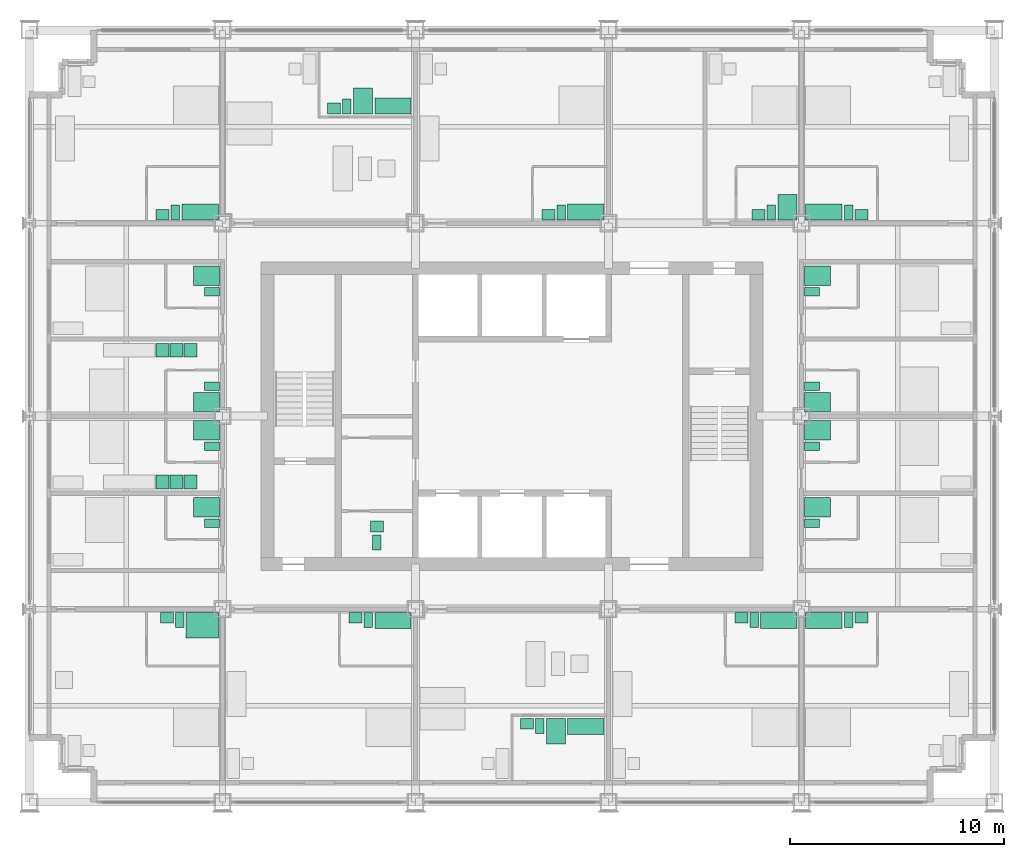
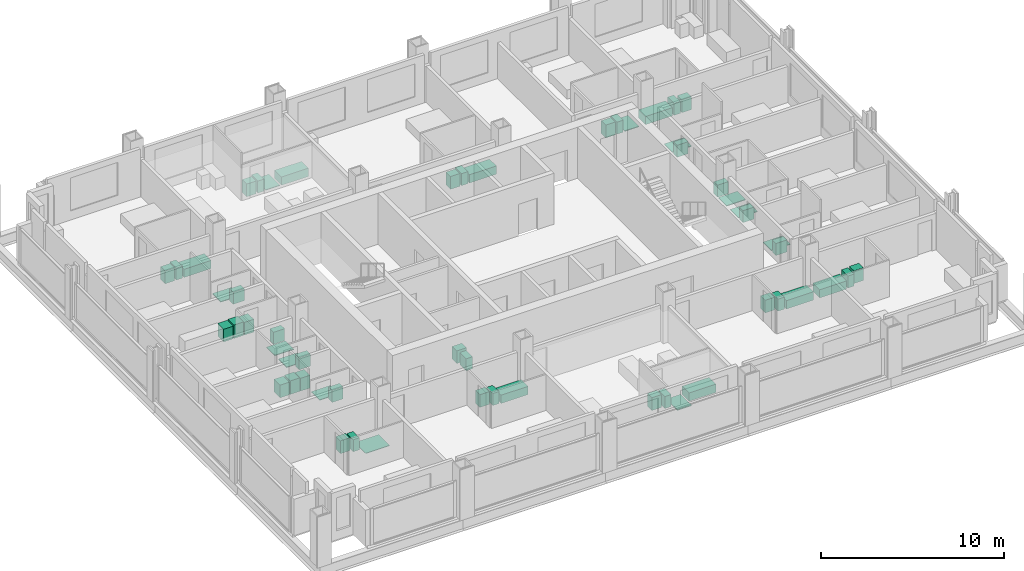
# One storey, part 15 of 16: 50 sanitary terminals, 6 electric appliances.
"""IFC4 building model written with IfcOpenShell, lengths in metres."""

from ifc_helpers import new_model, si_unit, direction, frame, origin, origin_2d, place, context, subcontext, project, spatial, rectangle, extrude, element, save


model = new_model("IFC4")

# Units and contexts
model_context = context("Model", 3, precision=1e-05, world=origin(), true_north=direction((0.0, 1.0)))
body_context = subcontext(model_context, "Body", "Model", "MODEL_VIEW")
ifc_project = project(units=[si_unit("LENGTHUNIT", "METRE"), si_unit("AREAUNIT", "SQUARE_METRE"), si_unit("VOLUMEUNIT", "CUBIC_METRE"), si_unit("PLANEANGLEUNIT", "RADIAN"), si_unit("MASSUNIT", "GRAM", prefix="KILO")], contexts=[model_context])

# Site, building, storey
site_placement = place(None, origin())
site = spatial("IfcSite", under=ifc_project, at=site_placement, CompositionType="ELEMENT")
building_placement = place(site_placement, origin())
building = spatial("IfcBuilding", under=site, at=building_placement, Name="Loomwork Tower", CompositionType="ELEMENT")
storey_placement = place(building_placement, frame((0.0, 0.0, 114.60009765625)))
storey = spatial("IfcBuildingStorey", under=building, at=storey_placement, Name="L30", CompositionType="ELEMENT", Elevation=114.60009765625)

# Sanitary terminals
sanitary_terminal_1_placement = place(storey_placement, frame((8.050048828125, 8.25, 0.0), z_axis=(0.0, 0.0, 1.0), x_axis=(1.0, 0.0, 0.0)))
element("IfcSanitaryTerminal", 1, at=sanitary_terminal_1_placement, inside=storey, Name="Roll-in shower floor L30", PredefinedType="SHOWER", context=body_context, shape_type="SweptSolid", body=[
    extrude(rectangle(XDim=1.5, YDim=1.199951171875, at=origin_2d()), origin(), (0.0, 0.0, 1.0), 0.030029296875),
])
sanitary_terminal_2_placement = place(storey_placement, frame((7.0, 8.5, 0.0), z_axis=(0.0, 0.0, 1.0), x_axis=(1.0, 0.0, 0.0)))
element("IfcSanitaryTerminal", 2, at=sanitary_terminal_2_placement, inside=storey, Name="WC L30", PredefinedType="TOILETPAN", context=body_context, shape_type="SweptSolid", body=[
    extrude(rectangle(XDim=0.39990234375, YDim=0.699951171875, at=origin_2d()), origin(), (0.0, 0.0, 1.0), 0.800048828125),
])
sanitary_terminal_3_placement = place(storey_placement, frame((6.39990234375, 8.60009765625, -0.000244140625), z_axis=(0.0, 0.0, 1.0), x_axis=(1.0, 0.0, 0.0)))
element("IfcSanitaryTerminal", 3, at=sanitary_terminal_3_placement, inside=storey, Name="Basin vanity L30", PredefinedType="WASHHANDBASIN", context=body_context, shape_type="SweptSolid", body=[
    extrude(rectangle(XDim=0.60009765625, YDim=0.5, at=origin_2d()), origin(), (0.0, 0.0, 1.0), 0.85009765625),
])
sanitary_terminal_4_placement = place(storey_placement, frame((16.949951171875, 8.47509765625, 0.0), z_axis=(0.0, 0.0, 1.0), x_axis=(1.0, 0.0, 0.0)))
element("IfcSanitaryTerminal", 4, at=sanitary_terminal_4_placement, inside=storey, Name="Bath L30", PredefinedType="BATH", context=body_context, shape_type="SweptSolid", body=[
    extrude(rectangle(XDim=1.699951171875, YDim=0.75, at=origin_2d()), origin(), (0.0, 0.0, 1.0), 0.550048828125),
])
sanitary_terminal_5_placement = place(storey_placement, frame((15.800048828125, 8.5, 0.0), z_axis=(0.0, 0.0, 1.0), x_axis=(1.0, 0.0, 0.0)))
element("IfcSanitaryTerminal", 5, at=sanitary_terminal_5_placement, inside=storey, Name="WC L30", PredefinedType="TOILETPAN", context=body_context, shape_type="SweptSolid", body=[
    extrude(rectangle(XDim=0.39990234375, YDim=0.699951171875, at=origin_2d()), origin(), (0.0, 0.0, 1.0), 0.800048828125),
])
sanitary_terminal_6_placement = place(storey_placement, frame((15.199951171875, 8.60009765625, -0.000244140625), z_axis=(0.0, 0.0, 1.0), x_axis=(1.0, 0.0, 0.0)))
element("IfcSanitaryTerminal", 6, at=sanitary_terminal_6_placement, inside=storey, Name="Basin vanity L30", PredefinedType="WASHHANDBASIN", context=body_context, shape_type="SweptSolid", body=[
    extrude(rectangle(XDim=0.60009765625, YDim=0.5, at=origin_2d()), origin(), (0.0, 0.0, 1.0), 0.85009765625),
])
sanitary_terminal_7_placement = place(storey_placement, frame((25.949951171875, 3.52490234375, 0.0), z_axis=(0.0, 0.0, 1.0), x_axis=(1.0, 0.0, 0.0)))
element("IfcSanitaryTerminal", 7, at=sanitary_terminal_7_placement, inside=storey, Name="Bath L30", PredefinedType="BATH", context=body_context, shape_type="SweptSolid", body=[
    extrude(rectangle(XDim=1.699951171875, YDim=0.75, at=origin_2d()), origin(), (0.0, 0.0, 1.0), 0.550048828125),
])
sanitary_terminal_8_placement = place(storey_placement, frame((24.550048828125, 3.300048828125, 0.0), z_axis=(0.0, 0.0, 1.0), x_axis=(1.0, 0.0, 0.0)))
element("IfcSanitaryTerminal", 8, at=sanitary_terminal_8_placement, inside=storey, Name="Shower tray L30", PredefinedType="SHOWER", context=body_context, shape_type="SweptSolid", body=[
    extrude(rectangle(XDim=0.89990234375, YDim=1.199951171875, at=origin_2d()), origin(), (0.0, 0.0, 1.0), 0.050048828125),
])
sanitary_terminal_9_placement = place(storey_placement, frame((23.800048828125, 3.550048828125, 0.0), z_axis=(0.0, 0.0, 1.0), x_axis=(1.0, 0.0, 0.0)))
element("IfcSanitaryTerminal", 9, at=sanitary_terminal_9_placement, inside=storey, Name="WC L30", PredefinedType="TOILETPAN", context=body_context, shape_type="SweptSolid", body=[
    extrude(rectangle(XDim=0.39990234375, YDim=0.699951171875, at=origin_2d()), origin(), (0.0, 0.0, 1.0), 0.800048828125),
])
sanitary_terminal_10_placement = place(storey_placement, frame((23.199951171875, 3.64990234375, -0.000244140625), z_axis=(0.0, 0.0, 1.0), x_axis=(1.0, 0.0, 0.0)))
element("IfcSanitaryTerminal", 10, at=sanitary_terminal_10_placement, inside=storey, Name="Basin vanity L30", PredefinedType="WASHHANDBASIN", context=body_context, shape_type="SweptSolid", body=[
    extrude(rectangle(XDim=0.60009765625, YDim=0.5, at=origin_2d()), origin(), (0.0, 0.0, 1.0), 0.85009765625),
])
sanitary_terminal_11_placement = place(storey_placement, frame((34.949951171875, 8.47509765625, 0.0), z_axis=(0.0, 0.0, 1.0), x_axis=(1.0, 0.0, 0.0)))
element("IfcSanitaryTerminal", 11, at=sanitary_terminal_11_placement, inside=storey, Name="Bath L30", PredefinedType="BATH", context=body_context, shape_type="SweptSolid", body=[
    extrude(rectangle(XDim=1.699951171875, YDim=0.75, at=origin_2d()), origin(), (0.0, 0.0, 1.0), 0.550048828125),
])
sanitary_terminal_12_placement = place(storey_placement, frame((33.800048828125, 8.5, 0.0), z_axis=(0.0, 0.0, 1.0), x_axis=(1.0, 0.0, 0.0)))
element("IfcSanitaryTerminal", 12, at=sanitary_terminal_12_placement, inside=storey, Name="WC L30", PredefinedType="TOILETPAN", context=body_context, shape_type="SweptSolid", body=[
    extrude(rectangle(XDim=0.39990234375, YDim=0.699951171875, at=origin_2d()), origin(), (0.0, 0.0, 1.0), 0.800048828125),
])
sanitary_terminal_13_placement = place(storey_placement, frame((33.199951171875, 8.60009765625, -0.000244140625), z_axis=(0.0, 0.0, 1.0), x_axis=(1.0, 0.0, 0.0)))
element("IfcSanitaryTerminal", 13, at=sanitary_terminal_13_placement, inside=storey, Name="Basin vanity L30", PredefinedType="WASHHANDBASIN", context=body_context, shape_type="SweptSolid", body=[
    extrude(rectangle(XDim=0.60009765625, YDim=0.5, at=origin_2d()), origin(), (0.0, 0.0, 1.0), 0.85009765625),
])
sanitary_terminal_14_placement = place(storey_placement, frame((37.050048828125, 8.47509765625, 0.0), z_axis=(0.0, 0.0, 1.0), x_axis=(1.0, 0.0, 0.0)))
element("IfcSanitaryTerminal", 14, at=sanitary_terminal_14_placement, inside=storey, Name="Bath L30", PredefinedType="BATH", context=body_context, shape_type="SweptSolid", body=[
    extrude(rectangle(XDim=1.699951171875, YDim=0.75, at=origin_2d()), origin(), (0.0, 0.0, 1.0), 0.550048828125),
])
sanitary_terminal_15_placement = place(storey_placement, frame((38.199951171875, 8.5, 0.0), z_axis=(0.0, 0.0, 1.0), x_axis=(1.0, 0.0, 0.0)))
element("IfcSanitaryTerminal", 15, at=sanitary_terminal_15_placement, inside=storey, Name="WC L30", PredefinedType="TOILETPAN", context=body_context, shape_type="SweptSolid", body=[
    extrude(rectangle(XDim=0.39990234375, YDim=0.699951171875, at=origin_2d()), origin(), (0.0, 0.0, 1.0), 0.800048828125),
])
sanitary_terminal_16_placement = place(storey_placement, frame((38.800048828125, 8.60009765625, -0.000244140625), z_axis=(0.0, 0.0, 1.0), x_axis=(1.0, 0.0, 0.0)))
element("IfcSanitaryTerminal", 16, at=sanitary_terminal_16_placement, inside=storey, Name="Basin vanity L30", PredefinedType="WASHHANDBASIN", context=body_context, shape_type="SweptSolid", body=[
    extrude(rectangle(XDim=0.60009765625, YDim=0.5, at=origin_2d()), origin(), (0.0, 0.0, 1.0), 0.85009765625),
])
sanitary_terminal_17_placement = place(storey_placement, frame((7.949951171875, 27.52490234375, 0.0), z_axis=(0.0, 0.0, 1.0), x_axis=(1.0, 0.0, 0.0)))
element("IfcSanitaryTerminal", 17, at=sanitary_terminal_17_placement, inside=storey, Name="Bath L30", PredefinedType="BATH", context=body_context, shape_type="SweptSolid", body=[
    extrude(rectangle(XDim=1.699951171875, YDim=0.75, at=origin_2d()), origin(), (0.0, 0.0, 1.0), 0.550048828125),
])
sanitary_terminal_18_placement = place(storey_placement, frame((6.800048828125, 27.5, 0.0), z_axis=(0.0, 0.0, 1.0), x_axis=(1.0, 0.0, 0.0)))
element("IfcSanitaryTerminal", 18, at=sanitary_terminal_18_placement, inside=storey, Name="WC L30", PredefinedType="TOILETPAN", context=body_context, shape_type="SweptSolid", body=[
    extrude(rectangle(XDim=0.39990234375, YDim=0.699951171875, at=origin_2d()), origin(), (0.0, 0.0, 1.0), 0.800048828125),
])
sanitary_terminal_19_placement = place(storey_placement, frame((6.199951171875, 27.39990234375, -0.000244140625), z_axis=(0.0, 0.0, 1.0), x_axis=(1.0, 0.0, 0.0)))
element("IfcSanitaryTerminal", 19, at=sanitary_terminal_19_placement, inside=storey, Name="Basin vanity L30", PredefinedType="WASHHANDBASIN", context=body_context, shape_type="SweptSolid", body=[
    extrude(rectangle(XDim=0.60009765625, YDim=0.5, at=origin_2d()), origin(), (0.0, 0.0, 1.0), 0.85009765625),
])
sanitary_terminal_20_placement = place(storey_placement, frame((16.949951171875, 32.47509765625, 0.0), z_axis=(0.0, 0.0, 1.0), x_axis=(1.0, 0.0, 0.0)))
element("IfcSanitaryTerminal", 20, at=sanitary_terminal_20_placement, inside=storey, Name="Bath L30", PredefinedType="BATH", context=body_context, shape_type="SweptSolid", body=[
    extrude(rectangle(XDim=1.699951171875, YDim=0.75, at=origin_2d()), origin(), (0.0, 0.0, 1.0), 0.550048828125),
])
sanitary_terminal_21_placement = place(storey_placement, frame((15.550048828125, 32.699951171875, 0.0), z_axis=(0.0, 0.0, 1.0), x_axis=(1.0, 0.0, 0.0)))
element("IfcSanitaryTerminal", 21, at=sanitary_terminal_21_placement, inside=storey, Name="Shower tray L30", PredefinedType="SHOWER", context=body_context, shape_type="SweptSolid", body=[
    extrude(rectangle(XDim=0.89990234375, YDim=1.199951171875, at=origin_2d()), origin(), (0.0, 0.0, 1.0), 0.050048828125),
])
sanitary_terminal_22_placement = place(storey_placement, frame((14.800048828125, 32.449951171875, 0.0), z_axis=(0.0, 0.0, 1.0), x_axis=(1.0, 0.0, 0.0)))
element("IfcSanitaryTerminal", 22, at=sanitary_terminal_22_placement, inside=storey, Name="WC L30", PredefinedType="TOILETPAN", context=body_context, shape_type="SweptSolid", body=[
    extrude(rectangle(XDim=0.39990234375, YDim=0.699951171875, at=origin_2d()), origin(), (0.0, 0.0, 1.0), 0.800048828125),
])
sanitary_terminal_23_placement = place(storey_placement, frame((14.199951171875, 32.35009765625, -0.000244140625), z_axis=(0.0, 0.0, 1.0), x_axis=(1.0, 0.0, 0.0)))
element("IfcSanitaryTerminal", 23, at=sanitary_terminal_23_placement, inside=storey, Name="Basin vanity L30", PredefinedType="WASHHANDBASIN", context=body_context, shape_type="SweptSolid", body=[
    extrude(rectangle(XDim=0.60009765625, YDim=0.5, at=origin_2d()), origin(), (0.0, 0.0, 1.0), 0.85009765625),
])
sanitary_terminal_24_placement = place(storey_placement, frame((25.949951171875, 27.52490234375, 0.0), z_axis=(0.0, 0.0, 1.0), x_axis=(1.0, 0.0, 0.0)))
element("IfcSanitaryTerminal", 24, at=sanitary_terminal_24_placement, inside=storey, Name="Bath L30", PredefinedType="BATH", context=body_context, shape_type="SweptSolid", body=[
    extrude(rectangle(XDim=1.699951171875, YDim=0.75, at=origin_2d()), origin(), (0.0, 0.0, 1.0), 0.550048828125),
])
sanitary_terminal_25_placement = place(storey_placement, frame((24.800048828125, 27.5, 0.0), z_axis=(0.0, 0.0, 1.0), x_axis=(1.0, 0.0, 0.0)))
element("IfcSanitaryTerminal", 25, at=sanitary_terminal_25_placement, inside=storey, Name="WC L30", PredefinedType="TOILETPAN", context=body_context, shape_type="SweptSolid", body=[
    extrude(rectangle(XDim=0.39990234375, YDim=0.699951171875, at=origin_2d()), origin(), (0.0, 0.0, 1.0), 0.800048828125),
])
sanitary_terminal_26_placement = place(storey_placement, frame((24.199951171875, 27.39990234375, -0.000244140625), z_axis=(0.0, 0.0, 1.0), x_axis=(1.0, 0.0, 0.0)))
element("IfcSanitaryTerminal", 26, at=sanitary_terminal_26_placement, inside=storey, Name="Basin vanity L30", PredefinedType="WASHHANDBASIN", context=body_context, shape_type="SweptSolid", body=[
    extrude(rectangle(XDim=0.60009765625, YDim=0.5, at=origin_2d()), origin(), (0.0, 0.0, 1.0), 0.85009765625),
])
sanitary_terminal_27_placement = place(storey_placement, frame((35.35009765625, 27.75, 0.0), z_axis=(0.0, 0.0, 1.0), x_axis=(1.0, 0.0, 0.0)))
element("IfcSanitaryTerminal", 27, at=sanitary_terminal_27_placement, inside=storey, Name="Shower tray L30", PredefinedType="SHOWER", context=body_context, shape_type="SweptSolid", body=[
    extrude(rectangle(XDim=0.89990234375, YDim=1.199951171875, at=origin_2d()), origin(), (0.0, 0.0, 1.0), 0.050048828125),
])
sanitary_terminal_28_placement = place(storey_placement, frame((34.60009765625, 27.5, 0.0), z_axis=(0.0, 0.0, 1.0), x_axis=(1.0, 0.0, 0.0)))
element("IfcSanitaryTerminal", 28, at=sanitary_terminal_28_placement, inside=storey, Name="WC L30", PredefinedType="TOILETPAN", context=body_context, shape_type="SweptSolid", body=[
    extrude(rectangle(XDim=0.39990234375, YDim=0.699951171875, at=origin_2d()), origin(), (0.0, 0.0, 1.0), 0.800048828125),
])
sanitary_terminal_29_placement = place(storey_placement, frame((34.0, 27.39990234375, -0.000244140625), z_axis=(0.0, 0.0, 1.0), x_axis=(1.0, 0.0, 0.0)))
element("IfcSanitaryTerminal", 29, at=sanitary_terminal_29_placement, inside=storey, Name="Basin vanity L30", PredefinedType="WASHHANDBASIN", context=body_context, shape_type="SweptSolid", body=[
    extrude(rectangle(XDim=0.60009765625, YDim=0.5, at=origin_2d()), origin(), (0.0, 0.0, 1.0), 0.85009765625),
])
sanitary_terminal_30_placement = place(storey_placement, frame((37.050048828125, 27.52490234375, 0.0), z_axis=(0.0, 0.0, 1.0), x_axis=(1.0, 0.0, 0.0)))
element("IfcSanitaryTerminal", 30, at=sanitary_terminal_30_placement, inside=storey, Name="Bath L30", PredefinedType="BATH", context=body_context, shape_type="SweptSolid", body=[
    extrude(rectangle(XDim=1.699951171875, YDim=0.75, at=origin_2d()), origin(), (0.0, 0.0, 1.0), 0.550048828125),
])
sanitary_terminal_31_placement = place(storey_placement, frame((38.199951171875, 27.5, 0.0), z_axis=(0.0, 0.0, 1.0), x_axis=(1.0, 0.0, 0.0)))
element("IfcSanitaryTerminal", 31, at=sanitary_terminal_31_placement, inside=storey, Name="WC L30", PredefinedType="TOILETPAN", context=body_context, shape_type="SweptSolid", body=[
    extrude(rectangle(XDim=0.39990234375, YDim=0.699951171875, at=origin_2d()), origin(), (0.0, 0.0, 1.0), 0.800048828125),
])
sanitary_terminal_32_placement = place(storey_placement, frame((38.800048828125, 27.39990234375, -0.000244140625), z_axis=(0.0, 0.0, 1.0), x_axis=(1.0, 0.0, 0.0)))
element("IfcSanitaryTerminal", 32, at=sanitary_terminal_32_placement, inside=storey, Name="Basin vanity L30", PredefinedType="WASHHANDBASIN", context=body_context, shape_type="SweptSolid", body=[
    extrude(rectangle(XDim=0.60009765625, YDim=0.5, at=origin_2d()), origin(), (0.0, 0.0, 1.0), 0.85009765625),
])
sanitary_terminal_33_placement = place(storey_placement, frame((8.25, 13.75, 0.0), z_axis=(0.0, 0.0, 1.0), x_axis=(1.0, 0.0, 0.0)))
element("IfcSanitaryTerminal", 33, at=sanitary_terminal_33_placement, inside=storey, Name="Shower tray L30", PredefinedType="SHOWER", context=body_context, shape_type="SweptSolid", body=[
    extrude(rectangle(XDim=1.199951171875, YDim=0.89990234375, at=origin_2d()), origin(), (0.0, 0.0, 1.0), 0.050048828125),
])
sanitary_terminal_34_placement = place(storey_placement, frame((8.5, 13.0, 0.0), z_axis=(0.0, 0.0, 1.0), x_axis=(1.0, 0.0, 0.0)))
element("IfcSanitaryTerminal", 34, at=sanitary_terminal_34_placement, inside=storey, Name="WC L30", PredefinedType="TOILETPAN", context=body_context, shape_type="SweptSolid", body=[
    extrude(rectangle(XDim=0.699951171875, YDim=0.39990234375, at=origin_2d()), origin(), (0.0, 0.0, 1.0), 0.800048828125),
])
sanitary_terminal_35_placement = place(storey_placement, frame((8.25, 17.35009765625, 0.0), z_axis=(0.0, 0.0, 1.0), x_axis=(1.0, 0.0, 0.0)))
element("IfcSanitaryTerminal", 35, at=sanitary_terminal_35_placement, inside=storey, Name="Shower tray L30", PredefinedType="SHOWER", context=body_context, shape_type="SweptSolid", body=[
    extrude(rectangle(XDim=1.199951171875, YDim=0.89990234375, at=origin_2d()), origin(), (0.0, 0.0, 1.0), 0.050048828125),
])
sanitary_terminal_36_placement = place(storey_placement, frame((8.5, 16.60009765625, 0.0), z_axis=(0.0, 0.0, 1.0), x_axis=(1.0, 0.0, 0.0)))
element("IfcSanitaryTerminal", 36, at=sanitary_terminal_36_placement, inside=storey, Name="WC L30", PredefinedType="TOILETPAN", context=body_context, shape_type="SweptSolid", body=[
    extrude(rectangle(XDim=0.699951171875, YDim=0.39990234375, at=origin_2d()), origin(), (0.0, 0.0, 1.0), 0.800048828125),
])

# Electric appliances
electric_appliance_1_placement = place(storey_placement, frame((7.5, 14.925048828125, -0.000244140625), z_axis=(0.0, 0.0, 1.0), x_axis=(1.0, 0.0, 0.0)))
element("IfcElectricAppliance", 37, at=electric_appliance_1_placement, inside=storey, Name="Refrigerator L30", PredefinedType="REFRIGERATOR", context=body_context, shape_type="SweptSolid", body=[
    extrude(rectangle(XDim=0.60009765625, YDim=0.64990234375, at=origin_2d()), origin(), (0.0, 0.0, 1.0), 0.85009765625),
])
electric_appliance_2_placement = place(storey_placement, frame((6.85009765625, 14.925048828125, 0.0), z_axis=(0.0, 0.0, 1.0), x_axis=(1.0, 0.0, 0.0)))
element("IfcElectricAppliance", 38, at=electric_appliance_2_placement, inside=storey, Name="Two-ring cooktop and oven L30", PredefinedType="ELECTRICCOOKER", context=body_context, shape_type="SweptSolid", body=[
    extrude(rectangle(XDim=0.60009765625, YDim=0.64990234375, at=origin_2d()), origin(), (0.0, 0.0, 1.0), 0.89990234375),
])
electric_appliance_3_placement = place(storey_placement, frame((6.199951171875, 14.925048828125, -0.000244140625), z_axis=(0.0, 0.0, 1.0), x_axis=(1.0, 0.0, 0.0)))
element("IfcElectricAppliance", 39, at=electric_appliance_3_placement, inside=storey, Name="Dishwasher L30", PredefinedType="DISHWASHER", context=body_context, shape_type="SweptSolid", body=[
    extrude(rectangle(XDim=0.60009765625, YDim=0.64990234375, at=origin_2d()), origin(), (0.0, 0.0, 1.0), 0.85009765625),
])

# Sanitary terminals
sanitary_terminal_37_placement = place(storey_placement, frame((8.25, 18.64990234375, 0.0), z_axis=(0.0, 0.0, 1.0), x_axis=(1.0, 0.0, 0.0)))
element("IfcSanitaryTerminal", 40, at=sanitary_terminal_37_placement, inside=storey, Name="Shower tray L30", PredefinedType="SHOWER", context=body_context, shape_type="SweptSolid", body=[
    extrude(rectangle(XDim=1.199951171875, YDim=0.89990234375, at=origin_2d()), origin(), (0.0, 0.0, 1.0), 0.050048828125),
])
sanitary_terminal_38_placement = place(storey_placement, frame((8.5, 19.39990234375, 0.0), z_axis=(0.0, 0.0, 1.0), x_axis=(1.0, 0.0, 0.0)))
element("IfcSanitaryTerminal", 41, at=sanitary_terminal_38_placement, inside=storey, Name="WC L30", PredefinedType="TOILETPAN", context=body_context, shape_type="SweptSolid", body=[
    extrude(rectangle(XDim=0.699951171875, YDim=0.39990234375, at=origin_2d()), origin(), (0.0, 0.0, 1.0), 0.800048828125),
])

# Electric appliances
electric_appliance_4_placement = place(storey_placement, frame((7.5, 21.074951171875, -0.000244140625), z_axis=(0.0, 0.0, 1.0), x_axis=(1.0, 0.0, 0.0)))
element("IfcElectricAppliance", 42, at=electric_appliance_4_placement, inside=storey, Name="Refrigerator L30", PredefinedType="REFRIGERATOR", context=body_context, shape_type="SweptSolid", body=[
    extrude(rectangle(XDim=0.60009765625, YDim=0.64990234375, at=origin_2d()), origin(), (0.0, 0.0, 1.0), 0.85009765625),
])
electric_appliance_5_placement = place(storey_placement, frame((6.85009765625, 21.074951171875, 0.0), z_axis=(0.0, 0.0, 1.0), x_axis=(1.0, 0.0, 0.0)))
element("IfcElectricAppliance", 43, at=electric_appliance_5_placement, inside=storey, Name="Two-ring cooktop and oven L30", PredefinedType="ELECTRICCOOKER", context=body_context, shape_type="SweptSolid", body=[
    extrude(rectangle(XDim=0.60009765625, YDim=0.64990234375, at=origin_2d()), origin(), (0.0, 0.0, 1.0), 0.89990234375),
])
electric_appliance_6_placement = place(storey_placement, frame((6.199951171875, 21.074951171875, -0.000244140625), z_axis=(0.0, 0.0, 1.0), x_axis=(1.0, 0.0, 0.0)))
element("IfcElectricAppliance", 44, at=electric_appliance_6_placement, inside=storey, Name="Dishwasher L30", PredefinedType="DISHWASHER", context=body_context, shape_type="SweptSolid", body=[
    extrude(rectangle(XDim=0.60009765625, YDim=0.64990234375, at=origin_2d()), origin(), (0.0, 0.0, 1.0), 0.85009765625),
])

# Sanitary terminals
sanitary_terminal_39_placement = place(storey_placement, frame((8.25, 24.550048828125, 0.0), z_axis=(0.0, 0.0, 1.0), x_axis=(1.0, 0.0, 0.0)))
element("IfcSanitaryTerminal", 45, at=sanitary_terminal_39_placement, inside=storey, Name="Shower tray L30", PredefinedType="SHOWER", context=body_context, shape_type="SweptSolid", body=[
    extrude(rectangle(XDim=1.199951171875, YDim=0.89990234375, at=origin_2d()), origin(), (0.0, 0.0, 1.0), 0.050048828125),
])
sanitary_terminal_40_placement = place(storey_placement, frame((8.5, 23.800048828125, 0.0), z_axis=(0.0, 0.0, 1.0), x_axis=(1.0, 0.0, 0.0)))
element("IfcSanitaryTerminal", 46, at=sanitary_terminal_40_placement, inside=storey, Name="WC L30", PredefinedType="TOILETPAN", context=body_context, shape_type="SweptSolid", body=[
    extrude(rectangle(XDim=0.699951171875, YDim=0.39990234375, at=origin_2d()), origin(), (0.0, 0.0, 1.0), 0.800048828125),
])
sanitary_terminal_41_placement = place(storey_placement, frame((36.75, 13.75, 0.0), z_axis=(0.0, 0.0, 1.0), x_axis=(1.0, 0.0, 0.0)))
element("IfcSanitaryTerminal", 47, at=sanitary_terminal_41_placement, inside=storey, Name="Shower tray L30", PredefinedType="SHOWER", context=body_context, shape_type="SweptSolid", body=[
    extrude(rectangle(XDim=1.199951171875, YDim=0.89990234375, at=origin_2d()), origin(), (0.0, 0.0, 1.0), 0.050048828125),
])
sanitary_terminal_42_placement = place(storey_placement, frame((36.5, 13.0, 0.0), z_axis=(0.0, 0.0, 1.0), x_axis=(1.0, 0.0, 0.0)))
element("IfcSanitaryTerminal", 48, at=sanitary_terminal_42_placement, inside=storey, Name="WC L30", PredefinedType="TOILETPAN", context=body_context, shape_type="SweptSolid", body=[
    extrude(rectangle(XDim=0.699951171875, YDim=0.39990234375, at=origin_2d()), origin(), (0.0, 0.0, 1.0), 0.800048828125),
])
sanitary_terminal_43_placement = place(storey_placement, frame((36.75, 17.35009765625, 0.0), z_axis=(0.0, 0.0, 1.0), x_axis=(1.0, 0.0, 0.0)))
element("IfcSanitaryTerminal", 49, at=sanitary_terminal_43_placement, inside=storey, Name="Shower tray L30", PredefinedType="SHOWER", context=body_context, shape_type="SweptSolid", body=[
    extrude(rectangle(XDim=1.199951171875, YDim=0.89990234375, at=origin_2d()), origin(), (0.0, 0.0, 1.0), 0.050048828125),
])
sanitary_terminal_44_placement = place(storey_placement, frame((36.5, 16.60009765625, 0.0), z_axis=(0.0, 0.0, 1.0), x_axis=(1.0, 0.0, 0.0)))
element("IfcSanitaryTerminal", 50, at=sanitary_terminal_44_placement, inside=storey, Name="WC L30", PredefinedType="TOILETPAN", context=body_context, shape_type="SweptSolid", body=[
    extrude(rectangle(XDim=0.699951171875, YDim=0.39990234375, at=origin_2d()), origin(), (0.0, 0.0, 1.0), 0.800048828125),
])
sanitary_terminal_45_placement = place(storey_placement, frame((36.75, 18.64990234375, 0.0), z_axis=(0.0, 0.0, 1.0), x_axis=(1.0, 0.0, 0.0)))
element("IfcSanitaryTerminal", 51, at=sanitary_terminal_45_placement, inside=storey, Name="Shower tray L30", PredefinedType="SHOWER", context=body_context, shape_type="SweptSolid", body=[
    extrude(rectangle(XDim=1.199951171875, YDim=0.89990234375, at=origin_2d()), origin(), (0.0, 0.0, 1.0), 0.050048828125),
])
sanitary_terminal_46_placement = place(storey_placement, frame((36.5, 19.39990234375, 0.0), z_axis=(0.0, 0.0, 1.0), x_axis=(1.0, 0.0, 0.0)))
element("IfcSanitaryTerminal", 52, at=sanitary_terminal_46_placement, inside=storey, Name="WC L30", PredefinedType="TOILETPAN", context=body_context, shape_type="SweptSolid", body=[
    extrude(rectangle(XDim=0.699951171875, YDim=0.39990234375, at=origin_2d()), origin(), (0.0, 0.0, 1.0), 0.800048828125),
])
sanitary_terminal_47_placement = place(storey_placement, frame((36.75, 24.550048828125, 0.0), z_axis=(0.0, 0.0, 1.0), x_axis=(1.0, 0.0, 0.0)))
element("IfcSanitaryTerminal", 53, at=sanitary_terminal_47_placement, inside=storey, Name="Shower tray L30", PredefinedType="SHOWER", context=body_context, shape_type="SweptSolid", body=[
    extrude(rectangle(XDim=1.199951171875, YDim=0.89990234375, at=origin_2d()), origin(), (0.0, 0.0, 1.0), 0.050048828125),
])
sanitary_terminal_48_placement = place(storey_placement, frame((36.5, 23.800048828125, 0.0), z_axis=(0.0, 0.0, 1.0), x_axis=(1.0, 0.0, 0.0)))
element("IfcSanitaryTerminal", 54, at=sanitary_terminal_48_placement, inside=storey, Name="WC L30", PredefinedType="TOILETPAN", context=body_context, shape_type="SweptSolid", body=[
    extrude(rectangle(XDim=0.699951171875, YDim=0.39990234375, at=origin_2d()), origin(), (0.0, 0.0, 1.0), 0.800048828125),
])
sanitary_terminal_49_placement = place(storey_placement, frame((16.199951171875, 12.10009765625, 0.0), z_axis=(0.0, 0.0, 1.0), x_axis=(1.0, 0.0, 0.0)))
element("IfcSanitaryTerminal", 55, at=sanitary_terminal_49_placement, inside=storey, Name="WC L30", PredefinedType="TOILETPAN", context=body_context, shape_type="SweptSolid", body=[
    extrude(rectangle(XDim=0.39990234375, YDim=0.699951171875, at=origin_2d()), origin(), (0.0, 0.0, 1.0), 0.800048828125),
])
sanitary_terminal_50_placement = place(storey_placement, frame((16.199951171875, 12.85009765625, -0.000244140625), z_axis=(0.0, 0.0, 1.0), x_axis=(1.0, 0.0, 0.0)))
element("IfcSanitaryTerminal", 56, at=sanitary_terminal_50_placement, inside=storey, Name="Basin L30", PredefinedType="WASHHANDBASIN", context=body_context, shape_type="SweptSolid", body=[
    extrude(rectangle(XDim=0.60009765625, YDim=0.5, at=origin_2d()), origin(), (0.0, 0.0, 1.0), 0.85009765625),
])

save(model, "model.ifc")
